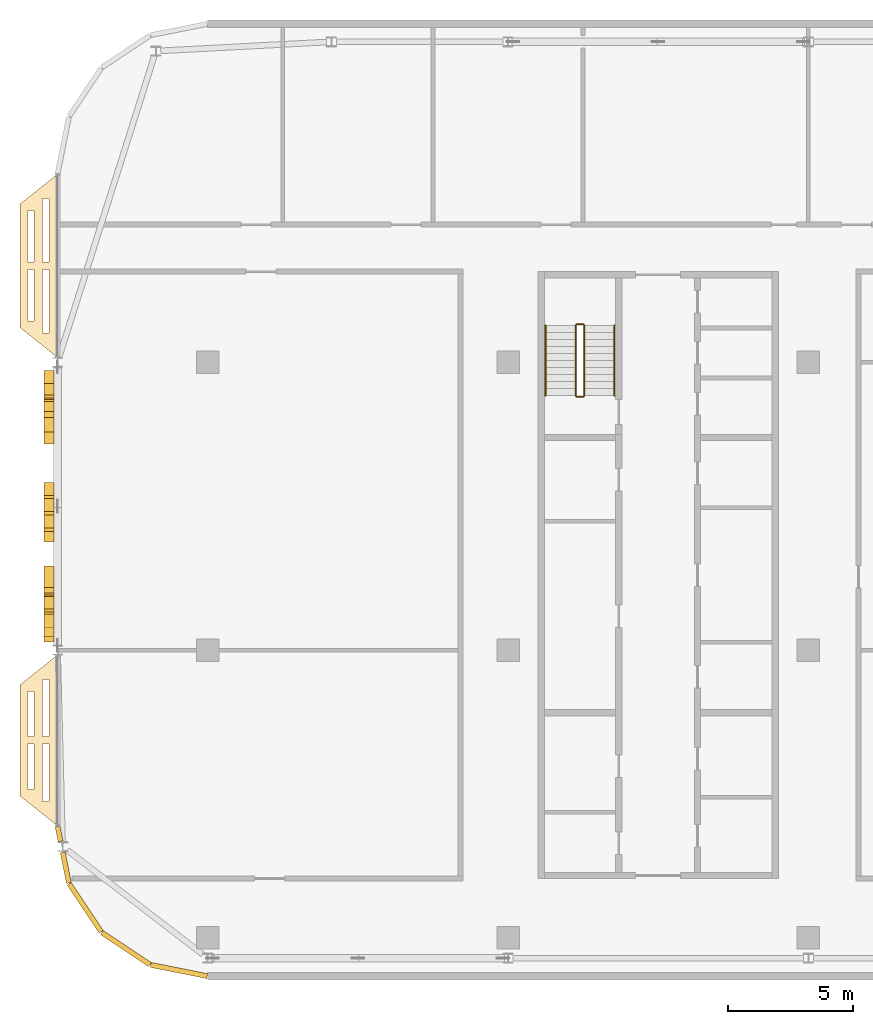
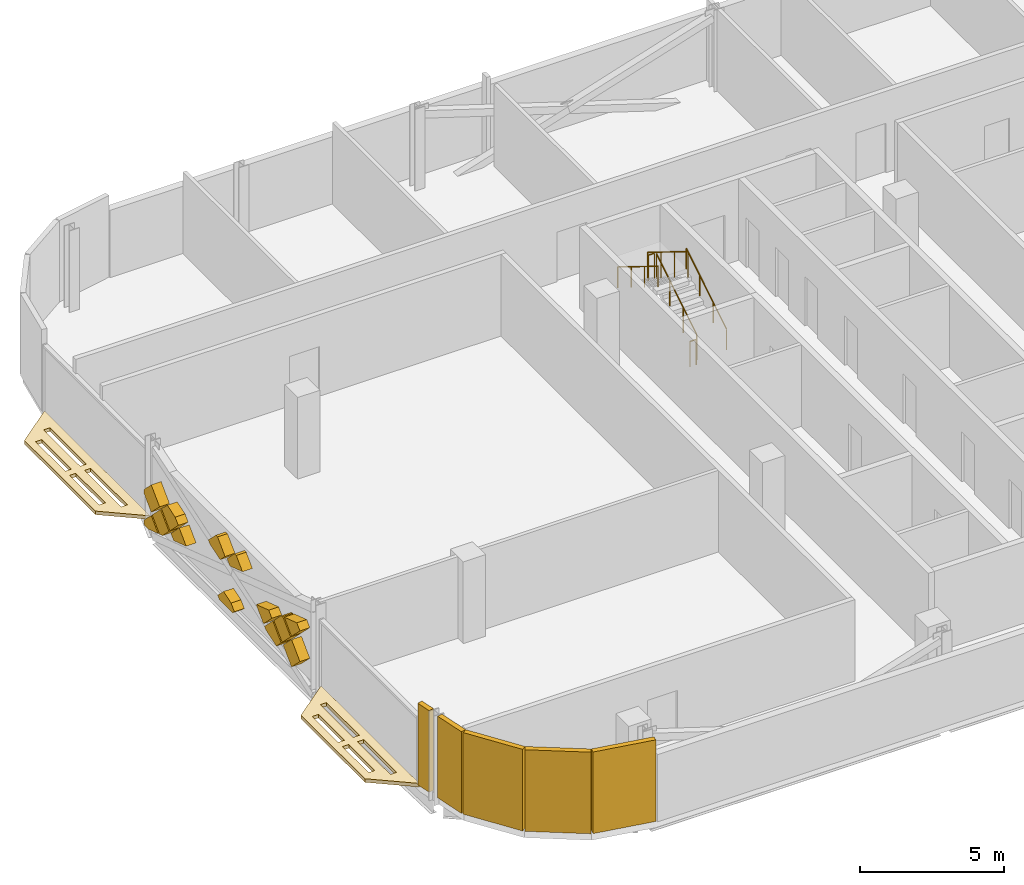
# One storey, part 25 of 29: 20 coverings, 6 railings.
"""IFC4 building model written with IfcOpenShell, lengths in metres."""

from ifc_helpers import new_model, si_unit, direction, frame, origin, origin_2d, place, context, subcontext, project, spatial, polyline, rectangle, circle, outline, extrude, material, layer, layer_set, type_object, element, save


model = new_model("IFC4")

# Units and contexts
model_context = context("Model", 3, precision=1e-05, world=origin(), true_north=direction((0.0, 1.0)))
body_context = subcontext(model_context, "Body", "Model", "MODEL_VIEW")
ifc_project = project(units=[si_unit("LENGTHUNIT", "METRE"), si_unit("AREAUNIT", "SQUARE_METRE"), si_unit("VOLUMEUNIT", "CUBIC_METRE"), si_unit("PLANEANGLEUNIT", "RADIAN"), si_unit("MASSUNIT", "GRAM", prefix="KILO")], contexts=[model_context])

# Site, building, storey
site_placement = place(None, origin())
site = spatial("IfcSite", under=ifc_project, at=site_placement, CompositionType="ELEMENT")
building_placement = place(site_placement, origin())
building = spatial("IfcBuilding", under=site, at=building_placement, Name="Mahtab Terrace Research Tower", CompositionType="ELEMENT")
storey_placement = place(building_placement, frame((0.0, 0.0, 274.699951171875)))
storey = spatial("IfcBuildingStorey", under=building, at=storey_placement, Name="L67", CompositionType="ELEMENT", Elevation=274.699951171875)

# Coverings
ifc_material_1 = material(Name="Black aluminium cladding panel", Category="aluminium")
ifc_layer_1 = layer(ifc_material_1, 0.199951171875)
ifc_layer_set_1 = layer_set([ifc_layer_1], Name="Black metal corner cladding 200")
covering_type_1 = type_object("IfcCoveringType", Name="Black metal corner cladding 200", PredefinedType="CLADDING", material=ifc_layer_set_1)
covering_1_placement = place(storey_placement, frame((-47.9375, -7.343505859375, 0.0), z_axis=(0.0, 0.0, 1.0), x_axis=(0.195212442692, -0.980760981187, 0.0)))
element("IfcCovering", 1, at=covering_1_placement, inside=storey, type_object=covering_type_1, Name="Corner cladding L67 11", PredefinedType="CLADDING", context=body_context, shape_type="SweptSolid", body=[
    extrude(rectangle(XDim=0.601806640625, YDim=0.199951171875, at=origin_2d()), origin(), (0.0, 0.0, 1.0), 3.4599609375),
])
covering_2_placement = place(storey_placement, frame((-47.669677734375, -8.68896484375, 0.0), z_axis=(0.0, 0.0, 1.0), x_axis=(0.195212442692, -0.980760981187, 0.0)))
element("IfcCovering", 2, at=covering_2_placement, inside=storey, type_object=covering_type_1, Name="Corner cladding L67 12", PredefinedType="CLADDING", context=body_context, shape_type="SweptSolid", body=[
    extrude(rectangle(XDim=1.25732421875, YDim=0.199951171875, at=origin_2d()), origin(), (0.0, 0.0, 1.0), 3.4599609375),
])
for number, where, z_axis, x_axis, name in (
    (3, (-46.89306640625, -10.298583984375, 0.0), (0.0, 0.0, 1.0), (0.555291490808, -0.831655794326, 0.0), "Corner cladding L67 13"),
    (4, (-45.26953125, -11.922119140625, 0.0), (0.0, 0.0, 1.0), (0.831655794326, -0.555291490808, 0.0), "Corner cladding L67 14"),
    (5, (-43.14794921875, -12.800537109375, 0.0), (0.0, 0.0, 1.0), (0.980760981187, -0.195212442692, 0.0), "Corner cladding L67 15"),
):
    element("IfcCovering", number, at=place(storey_placement, frame(where, z_axis=z_axis, x_axis=x_axis)), inside=storey, type_object=covering_type_1, Name=name, PredefinedType="CLADDING", context=body_context, shape_type="SweptSolid", body=[
        extrude(rectangle(XDim=2.30126953125, YDim=0.199951171875, at=origin_2d()), origin(), (0.0, 0.0, 1.0), 3.4599609375),
    ])
ifc_material_2 = material(Name="Black anodised aluminium", Category="aluminium")
ifc_layer_2 = layer(ifc_material_2, 0.14990234375)
ifc_layer_set_2 = layer_set([ifc_layer_2], Name="Horizontal sunshade band")
covering_type_2 = type_object("IfcCoveringType", Name="Horizontal sunshade band", PredefinedType="CLADDING", material=ifc_layer_set_2)
covering_3_placement = place(storey_placement, frame((0.0, 0.0, -0.14990234375)))
element("IfcCovering", 6, at=covering_3_placement, inside=storey, type_object=covering_type_2, Name="Sunshade band L67 8", PredefinedType="CLADDING", context=body_context, shape_type="SweptSolid", body=[
    extrude(outline(polyline([(-48.0, 19.029052734375), (-48.0, 11.68798828125), (-49.5, 12.887939453125), (-49.5, 17.8291015625), (-48.0, 19.029052734375)]), holes=[polyline([(-48.35009765625, 18.049072265625), (-48.35009765625, 15.509033203125), (-48.60009765625, 15.509033203125), (-48.60009765625, 18.049072265625), (-48.35009765625, 18.049072265625)]), polyline([(-48.35009765625, 15.208984375), (-48.35009765625, 12.66796875), (-48.60009765625, 12.66796875), (-48.60009765625, 15.208984375), (-48.35009765625, 15.208984375)]), polyline([(-48.949951171875, 17.569091796875), (-48.949951171875, 15.508056640625), (-49.199951171875, 15.508056640625), (-49.199951171875, 17.569091796875), (-48.949951171875, 17.569091796875)]), polyline([(-48.949951171875, 15.208984375), (-48.949951171875, 13.14794921875), (-49.199951171875, 13.14794921875), (-49.199951171875, 15.208984375), (-48.949951171875, 15.208984375)])]), origin(), (0.0, 0.0, 1.0), 0.14990234375),
])
covering_4_placement = place(storey_placement, frame((0.0, 0.0, -0.14990234375)))
element("IfcCovering", 7, at=covering_4_placement, inside=storey, type_object=covering_type_2, Name="Sunshade band L67 10", PredefinedType="CLADDING", context=body_context, shape_type="SweptSolid", body=[
    extrude(outline(polyline([(-48.0, -0.18798828125), (-48.0, -7.029052734375), (-49.5, -5.8291015625), (-49.5, -1.387939453125), (-48.0, -0.18798828125)]), holes=[polyline([(-48.35009765625, -1.16796875), (-48.35009765625, -3.458984375), (-48.60009765625, -3.458984375), (-48.60009765625, -1.16796875), (-48.35009765625, -1.16796875)]), polyline([(-48.35009765625, -3.758056640625), (-48.35009765625, -6.049072265625), (-48.60009765625, -6.049072265625), (-48.60009765625, -3.758056640625), (-48.35009765625, -3.758056640625)]), polyline([(-48.949951171875, -1.64794921875), (-48.949951171875, -3.458984375), (-49.199951171875, -3.458984375), (-49.199951171875, -1.64794921875), (-48.949951171875, -1.64794921875)]), polyline([(-48.949951171875, -3.758056640625), (-48.949951171875, -5.569091796875), (-49.199951171875, -5.569091796875), (-49.199951171875, -3.758056640625), (-48.949951171875, -3.758056640625)])]), origin(), (0.0, 0.0, 1.0), 0.14990234375),
])
ifc_material_3 = material(Name="Bronze anodised aluminium", Category="aluminium")
ifc_layer_3 = layer(ifc_material_3, 0.39990234375)
ifc_layer_set_3 = layer_set([ifc_layer_3], Name="Mashrabiya relief panel 400")
covering_type_3 = type_object("IfcCoveringType", Name="Mashrabiya relief panel 400", PredefinedType="CLADDING", material=ifc_layer_set_3)
covering_5_placement = place(storey_placement, frame((-48.14990234375, 11.177001953125, 0.18505859375), z_axis=(1.0, 0.0, 0.0), x_axis=(0.0, 0.0, 1.0)))
element("IfcCovering", 8, at=covering_5_placement, inside=storey, type_object=covering_type_3, Name="Mashrabiya lattice cell L67 W9.1", PredefinedType="CLADDING", context=body_context, shape_type="SweptSolid", body=[
    extrude(outline(polyline([(0.0, 0.0), (0.1298828125, 0.0), (0.64501953125, 0.514892578125), (0.1689453125, 0.990966796875), (-0.050048828125, 0.327880859375), (-0.050048828125, 0.050048828125), (0.0, 0.0)])), origin(), (0.0, 0.0, -1.0), 0.39990234375),
])
covering_6_placement = place(storey_placement, frame((-48.14990234375, 10.662109375, 2.130126953125), z_axis=(1.0, 0.0, 0.0), x_axis=(0.0, -0.707106781187, -0.707106781187)))
element("IfcCovering", 9, at=covering_6_placement, inside=storey, type_object=covering_type_3, Name="Mashrabiya lattice cell L67 W9.2", PredefinedType="CLADDING", context=body_context, shape_type="SweptSolid", body=[
    extrude(outline(polyline([(0.0, 0.0), (0.8203543516109556, 0.0), (0.8203543516109556, 0.8203543516109556), (0.0920136509698315, 0.820181718119455), (0.0001726334915005956, 0.728340700641124), (0.0, 0.0)])), origin(), (0.0, 0.0, -1.0), 0.39990234375),
])
covering_7_placement = place(storey_placement, frame((-48.14990234375, 10.592041015625, 0.900146484375), z_axis=(1.0, 0.0, 0.0), x_axis=(0.0, -0.707255598772, 0.706957932274)))
element("IfcCovering", 10, at=covering_7_placement, inside=storey, type_object=covering_type_3, Name="Mashrabiya lattice cell L67 W9.3", PredefinedType="CLADDING", context=body_context, shape_type="SweptSolid", body=[
    extrude(outline(polyline([(0.0, 0.0), (0.8201817362875763, 0.0), (0.8205270032629295, 0.8201816636150915), (0.1938674429970187, 0.8203135641750297), (0.00015210351071653916, 0.7226437794140779), (0.0, 0.0)])), origin(), (0.0, 0.0, -1.0), 0.39990234375),
])
covering_8_placement = place(storey_placement, frame((-48.14990234375, 8.781982421875, 1.550048828125), z_axis=(1.0, 0.0, 0.0), x_axis=(0.0, 0.707106781187, -0.707106781187)))
element("IfcCovering", 11, at=covering_8_placement, inside=storey, type_object=covering_type_3, Name="Mashrabiya lattice cell L67 W9.4", PredefinedType="CLADDING", context=body_context, shape_type="SweptSolid", body=[
    extrude(outline(polyline([(0.0, 0.0), (0.8203543516109556, 0.0), (0.820181718119455, 0.820181718119455), (0.2587776037594323, 0.8201817181194551), (0.0, 0.3055612799561009), (0.0, 0.0)])), origin(), (0.0, 0.0, -1.0), 0.39990234375),
])
covering_9_placement = place(storey_placement, frame((-48.14990234375, 9.2919921875, 0.900146484375), z_axis=(1.0, 0.0, 0.0), x_axis=(0.0, -0.707255598772, 0.706957932274)))
element("IfcCovering", 12, at=covering_9_placement, inside=storey, type_object=covering_type_3, Name="Mashrabiya lattice cell L67 W9.5", PredefinedType="CLADDING", context=body_context, shape_type="SweptSolid", body=[
    extrude(outline(polyline([(0.0, 0.0), (0.8201817362875763, 0.0), (0.8203246103927214, 0.6787948735442317), (5.5957813307083715e-05, 0.26585557102190155), (0.0, 0.0)])), origin(), (0.0, 0.0, -1.0), 0.39990234375),
])
covering_10_placement = place(storey_placement, frame((-48.14990234375, 6.69189453125, 2.199951171875), z_axis=(1.0, 0.0, 0.0), x_axis=(0.0, -0.706940109, 0.707273414096)))
element("IfcCovering", 13, at=covering_10_placement, inside=storey, type_object=covering_type_3, Name="Mashrabiya lattice cell L67 W9.6", PredefinedType="CLADDING", context=body_context, shape_type="SweptSolid", body=[
    extrude(outline(polyline([(0.0, 0.0), (0.732483924780468, 0.0), (0.8201610672052639, 0.08771848006856059), (0.8199883930319005, 0.8203749976490773), (0.339204173242182, 0.8200890518219337), (-3.42581654033669e-05, 0.14535739580650214), (0.0, 0.0)])), origin(), (0.0, 0.0, -1.0), 0.39990234375),
])
covering_11_placement = place(storey_placement, frame((-48.14990234375, 6.0419921875, 0.25), z_axis=(1.0, 0.0, 0.0), x_axis=(0.0, -0.707106781187, 0.707106781187)))
element("IfcCovering", 14, at=covering_11_placement, inside=storey, type_object=covering_type_3, Name="Mashrabiya lattice cell L67 W9.7", PredefinedType="CLADDING", context=body_context, shape_type="SweptSolid", body=[
    extrude(outline(polyline([(0.0, 0.0), (0.5727979247990637, 0.0), (0.8203543516109555, 0.4906243828447676), (0.820181718119455, 0.820181718119455), (0.6575609691258691, 0.820181718119455), (0.0, 0.1626207489935859), (0.0, 0.0)])), origin(), (0.0, 0.0, -1.0), 0.39990234375),
])
covering_12_placement = place(storey_placement, frame((-48.14990234375, 5.39208984375, 2.199951171875), z_axis=(1.0, 0.0, 0.0), x_axis=(0.0, -0.707106781187, 0.707106781187)))
element("IfcCovering", 15, at=covering_12_placement, inside=storey, type_object=covering_type_3, Name="Mashrabiya lattice cell L67 W9.8", PredefinedType="CLADDING", context=body_context, shape_type="SweptSolid", body=[
    extrude(outline(polyline([(0.0, 0.0), (0.7326565379286396, 0.0), (0.8203543516109556, 0.087697813682316), (0.8203543516109556, 0.6915697669514916), (0.0, 0.27863045528200386), (0.0, 0.0)])), origin(), (0.0, 0.0, -1.0), 0.39990234375),
])
covering_13_placement = place(storey_placement, frame((-48.14990234375, 2.281982421875, 1.550048828125), z_axis=(1.0, 0.0, 0.0), x_axis=(0.0, 0.707106781187, -0.707106781187)))
element("IfcCovering", 16, at=covering_13_placement, inside=storey, type_object=covering_type_3, Name="Mashrabiya lattice cell L67 W9.9", PredefinedType="CLADDING", context=body_context, shape_type="SweptSolid", body=[
    extrude(outline(polyline([(0.0, 0.0), (0.8203543516109556, 0.0), (0.8203543516109556, 0.7198816595575935), (0.0, 0.30694234788810587), (0.0, 0.0)])), origin(), (0.0, 0.0, -1.0), 0.39990234375),
])
covering_14_placement = place(storey_placement, frame((-48.14990234375, 2.7919921875, 0.900146484375), z_axis=(1.0, 0.0, 0.0), x_axis=(0.0, -0.707255598772, 0.706957932274)))
element("IfcCovering", 17, at=covering_14_placement, inside=storey, type_object=covering_type_3, Name="Mashrabiya lattice cell L67 W9.10", PredefinedType="CLADDING", context=body_context, shape_type="SweptSolid", body=[
    extrude(outline(polyline([(0.0, 0.0), (0.8201817362875763, 0.0), (0.8203543334390104, 0.8200090664636573), (0.35234498468410025, 0.8202802075044998), (-0.0001470164367794874, 0.12170664514821682), (0.0, 0.0)])), origin(), (0.0, 0.0, -1.0), 0.39990234375),
])
covering_15_placement = place(storey_placement, frame((-48.14990234375, 0.98193359375, 1.550048828125), z_axis=(1.0, 0.0, 0.0), x_axis=(0.0, 0.707106781187, -0.707106781187)))
element("IfcCovering", 18, at=covering_15_placement, inside=storey, type_object=covering_type_3, Name="Mashrabiya lattice cell L67 W9.11", PredefinedType="CLADDING", context=body_context, shape_type="SweptSolid", body=[
    extrude(outline(polyline([(0.0, 0.0), (0.8203543516109556, 0.0), (0.8203543516109556, 0.8203543516109556), (0.11186650249240304, 0.8203543516109556), (0.0, 0.7637305663987516), (0.0, 0.0)])), origin(), (0.0, 0.0, -1.0), 0.39990234375),
])
covering_16_placement = place(storey_placement, frame((-48.14990234375, 0.912109375, 1.47998046875), z_axis=(1.0, 0.0, 0.0), x_axis=(0.0, -0.707255598772, -0.706957932274)))
element("IfcCovering", 19, at=covering_16_placement, inside=storey, type_object=covering_type_3, Name="Mashrabiya lattice cell L67 W9.12", PredefinedType="CLADDING", context=body_context, shape_type="SweptSolid", body=[
    extrude(outline(polyline([(0.0, 0.0), (0.8201817362875763, 0.0), (0.8200090664636573, 0.8203543334390104), (-0.00017259715143413956, 0.8200090664636573), (0.0, 0.0)])), origin(), (0.0, 0.0, -1.0), 0.39990234375),
])
covering_17_placement = place(storey_placement, frame((-48.14990234375, 0.33203125, 2.199951171875), z_axis=(1.0, 0.0, 0.0), x_axis=(0.0, 0.707255598772, -0.706957932274)))
element("IfcCovering", 20, at=covering_17_placement, inside=storey, type_object=covering_type_3, Name="Mashrabiya lattice cell L67 W9.13", PredefinedType="CLADDING", context=body_context, shape_type="SweptSolid", body=[
    extrude(outline(polyline([(0.0, 0.0), (0.8201817362875763, 0.0), (0.8203320229861725, 0.7140121050302498), (-0.00010922674467600535, 0.3012454723318386), (0.0, 0.0)])), origin(), (0.0, 0.0, -1.0), 0.39990234375),
])

# Railings
ifc_material_4 = material(Name="Stainless steel AISI 304", Category="steel")
railing_type_1 = type_object("IfcRailingType", Name="Stair guard 1100", PredefinedType="GUARDRAIL", material=ifc_material_4)
railing_1_placement = place(storey_placement, frame((-26.949951171875, 10.175048828125, 0.1728515625)))
element("IfcRailing", 21, at=railing_1_placement, inside=storey, type_object=railing_type_1, Name="L67 ST1 stair guard 1", PredefinedType="GUARDRAIL", context=body_context, shape_type="SweptSolid", body=[
    extrude(circle(Radius=0.02392578125, at=origin_2d()), frame((0.0, 0.0, 1.076171875), z_axis=(0.0, 0.851089632645, 0.525020415988), x_axis=(-1.0, 0.0, 0.0)), (0.0, 0.0, 1.0), 3.2900390625),
    extrude(circle(Radius=0.02099609375, at=origin_2d()), origin(), (0.0, 0.0, 1.0), 1.052001953125),
    extrude(circle(Radius=0.02099609375, at=origin_2d()), frame((0.0, 0.933349609375, 0.57568359375)), (0.0, 0.0, 1.0), 1.052001953125),
    extrude(circle(Radius=0.02099609375, at=origin_2d()), frame((0.0, 1.86669921875, 1.151611328125)), (0.0, 0.0, 1.0), 1.052001953125),
    extrude(circle(Radius=0.02099609375, at=origin_2d()), frame((0.0, 2.800048828125, 1.727294921875)), (0.0, 0.0, 1.0), 1.052001953125),
])
railing_2_placement = place(storey_placement, frame((-27.0, 13.02490234375, 1.900146484375)))
element("IfcRailing", 22, at=railing_2_placement, inside=storey, type_object=railing_type_1, Name="L67 ST1 stair guard 2", PredefinedType="GUARDRAIL", context=body_context, shape_type="SweptSolid", body=[
    extrude(circle(Radius=0.02392578125, at=origin_2d()), frame((0.0, 0.0, 1.076171875), z_axis=(-1.0, 0.0, 0.0), x_axis=(0.0, -1.0, 0.0)), (0.0, 0.0, 1.0), 0.25),
    extrude(circle(Radius=0.02099609375, at=origin_2d()), origin(), (0.0, 0.0, 1.0), 1.052001953125),
    extrude(circle(Radius=0.02099609375, at=origin_2d()), frame((-0.25, 0.0, 0.0)), (0.0, 0.0, 1.0), 1.052001953125),
])
railing_3_placement = place(storey_placement, frame((-27.300048828125, 12.97509765625, 2.07275390625)))
element("IfcRailing", 23, at=railing_3_placement, inside=storey, type_object=railing_type_1, Name="L67 ST1 stair guard 3", PredefinedType="GUARDRAIL", context=body_context, shape_type="SweptSolid", body=[
    extrude(circle(Radius=0.02392578125, at=origin_2d()), frame((0.0, 0.0, 1.076171875), z_axis=(0.0, -0.851089632645, 0.525020415988), x_axis=(1.0, 0.0, 0.0)), (0.0, 0.0, 1.0), 3.2900390625),
    extrude(circle(Radius=0.02099609375, at=origin_2d()), origin(), (0.0, 0.0, 1.0), 1.052001953125),
    extrude(circle(Radius=0.02099609375, at=origin_2d()), frame((0.0, -0.933349609375, 0.57568359375)), (0.0, 0.0, 1.0), 1.052001953125),
    extrude(circle(Radius=0.02099609375, at=origin_2d()), frame((0.0, -1.86669921875, 1.151611328125)), (0.0, 0.0, 1.0), 1.052001953125),
    extrude(circle(Radius=0.02099609375, at=origin_2d()), frame((0.0, -2.800048828125, 1.727294921875)), (0.0, 0.0, 1.0), 1.052001953125),
])
railing_4_placement = place(storey_placement, frame((-27.0, 10.125, 0.0)))
element("IfcRailing", 24, at=railing_4_placement, inside=storey, type_object=railing_type_1, Name="L67 ST1 stair guard 4", PredefinedType="GUARDRAIL", context=body_context, shape_type="SweptSolid", body=[
    extrude(circle(Radius=0.02392578125, at=origin_2d()), frame((0.0, 0.0, 1.076171875), z_axis=(-1.0, 0.0, 0.0), x_axis=(0.0, -1.0, 0.0)), (0.0, 0.0, 1.0), 0.25),
    extrude(circle(Radius=0.02099609375, at=origin_2d()), origin(), (0.0, 0.0, 1.0), 1.052001953125),
    extrude(circle(Radius=0.02099609375, at=origin_2d()), frame((-0.25, 0.0, 0.0)), (0.0, 0.0, 1.0), 1.052001953125),
])
railing_type_2 = type_object("IfcRailingType", Name="Stair handrail 900", PredefinedType="HANDRAIL", material=ifc_material_4)
railing_5_placement = place(storey_placement, frame((-25.75, 10.175048828125, 0.1728515625)))
element("IfcRailing", 25, at=railing_5_placement, inside=storey, type_object=railing_type_2, Name="L67 ST1 stair handrail 1", PredefinedType="HANDRAIL", context=body_context, shape_type="SweptSolid", body=[
    extrude(circle(Radius=0.02392578125, at=origin_2d()), frame((0.0, 0.0, 0.8759765625), z_axis=(0.0, 0.851089632645, 0.525020415988), x_axis=(-1.0, 0.0, 0.0)), (0.0, 0.0, 1.0), 3.2900390625),
    extrude(circle(Radius=0.02099609375, at=origin_2d()), origin(), (0.0, 0.0, 1.0), 0.851806640625),
    extrude(circle(Radius=0.02099609375, at=origin_2d()), frame((0.0, 0.933349609375, 0.57568359375)), (0.0, 0.0, 1.0), 0.851806640625),
    extrude(circle(Radius=0.02099609375, at=origin_2d()), frame((0.0, 1.86669921875, 1.151611328125)), (0.0, 0.0, 1.0), 0.851806640625),
    extrude(circle(Radius=0.02099609375, at=origin_2d()), frame((0.0, 2.800048828125, 1.727294921875)), (0.0, 0.0, 1.0), 0.851806640625),
])
railing_6_placement = place(storey_placement, frame((-28.5, 12.97509765625, 2.07275390625)))
element("IfcRailing", 26, at=railing_6_placement, inside=storey, type_object=railing_type_2, Name="L67 ST1 stair handrail 2", PredefinedType="HANDRAIL", context=body_context, shape_type="SweptSolid", body=[
    extrude(circle(Radius=0.02392578125, at=origin_2d()), frame((0.0, 0.0, 0.8759765625), z_axis=(0.0, -0.851089632645, 0.525020415988), x_axis=(1.0, 0.0, 0.0)), (0.0, 0.0, 1.0), 3.2900390625),
    extrude(circle(Radius=0.02099609375, at=origin_2d()), origin(), (0.0, 0.0, 1.0), 0.851806640625),
    extrude(circle(Radius=0.02099609375, at=origin_2d()), frame((0.0, -0.933349609375, 0.57568359375)), (0.0, 0.0, 1.0), 0.851806640625),
    extrude(circle(Radius=0.02099609375, at=origin_2d()), frame((0.0, -1.86669921875, 1.151611328125)), (0.0, 0.0, 1.0), 0.851806640625),
    extrude(circle(Radius=0.02099609375, at=origin_2d()), frame((0.0, -2.800048828125, 1.727294921875)), (0.0, 0.0, 1.0), 0.851806640625),
])

save(model, "model.ifc")
